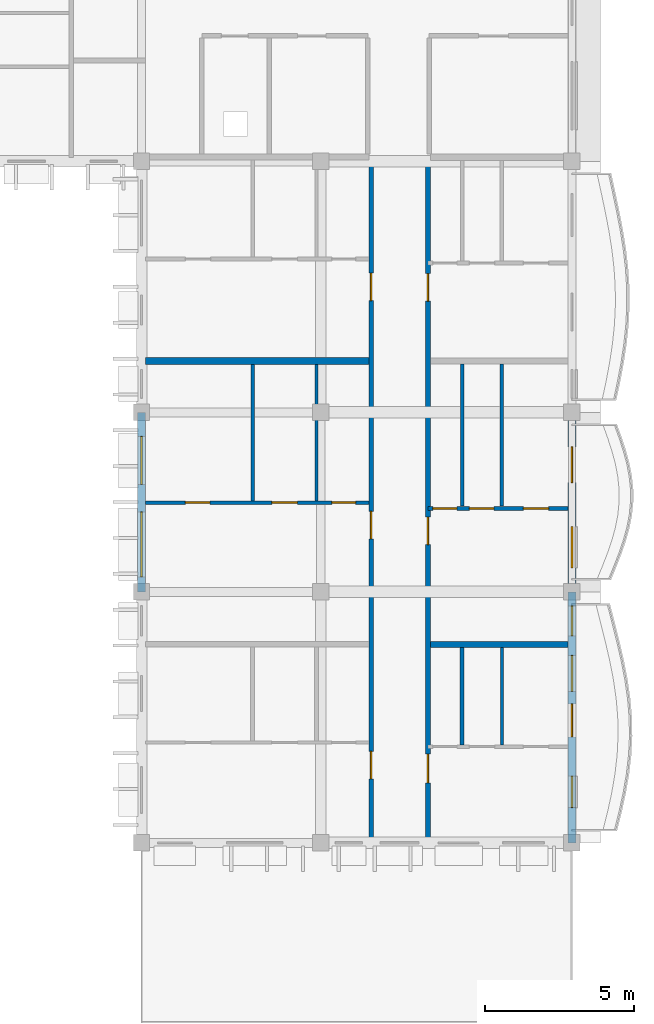
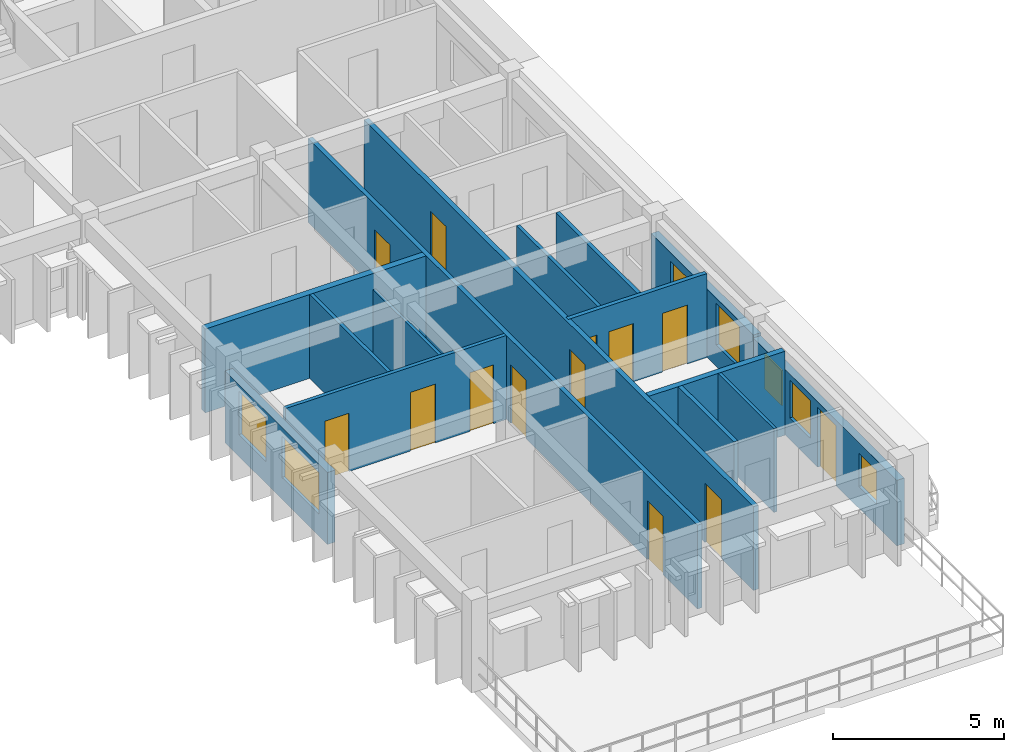
# One storey, part 24 of 45: 15 walls, 14 doors, 6 windows, 20 openings.
"""IFC4 building model written with IfcOpenShell, lengths in metres."""

from ifc_helpers import new_model, si_unit, direction, frame, frame_2d, origin, place, context, subcontext, project, spatial, rectangle, extrude, material, layer, layer_set, type_object, element, fill, save


model = new_model("IFC4")

# Units and contexts
model_context = context("Model", 3, precision=1e-05, world=origin(), true_north=direction((0.0, 1.0)))
body_context = subcontext(model_context, "Body", "Model", "MODEL_VIEW")
ifc_project = project(units=[si_unit("LENGTHUNIT", "METRE"), si_unit("AREAUNIT", "SQUARE_METRE"), si_unit("VOLUMEUNIT", "CUBIC_METRE"), si_unit("PLANEANGLEUNIT", "RADIAN"), si_unit("MASSUNIT", "GRAM", prefix="KILO"), si_unit("THERMODYNAMICTEMPERATUREUNIT", "KELVIN")], contexts=[model_context])

# Site, building, storey
site_placement = place(None, origin())
site = spatial("IfcSite", under=ifc_project, at=site_placement, CompositionType="ELEMENT")
building_placement = place(site_placement, origin())
building = spatial("IfcBuilding", under=site, at=building_placement, Name="Thalorik Housing Commons", CompositionType="ELEMENT")
storey_placement = place(building_placement, frame((0.0, 0.0, 34.5)))
storey = spatial("IfcBuildingStorey", under=building, at=storey_placement, Name="L10", CompositionType="ELEMENT", Elevation=34.5)

# Wall, openings, doors
ifc_material_1 = material(Name="Masonry fire-rated corridor wall", Category="masonry")
ifc_layer_1 = layer(ifc_material_1, 0.14990234375, Name="Masonry fire-rated corridor wall", Category="masonry")
ifc_layer_set_1 = layer_set([ifc_layer_1], Name="Masonry fire-rated corridor wall")
wall_type_1 = type_object("IfcWallType", Name="ARC-WAL-CORR-150", PredefinedType="PARTITIONING", material=ifc_layer_set_1)
wall_1_placement = place(storey_placement, frame((160.080078125, 86.529541015625, 0.0), z_axis=(0.0, 0.0, 1.0), x_axis=(0.0, 1.0, 0.0)))
wall_1 = element("IfcWall", 1, at=wall_1_placement, inside=storey, type_object=wall_type_1, Name="L10 Block B E Corridor Wall 1", PredefinedType="PARTITIONING", context=body_context, shape_type="SweptSolid", body=[
    extrude(rectangle(XDim=22.810546875, YDim=0.14990234375, at=frame_2d((11.4052734375, 0.0))), origin(), (0.0, 0.0, 1.0), 3.0),
])
opening_1_placement = place(wall_1_placement, frame((2.010498046875, 0.0, 0.0)))
opening_1 = element("IfcOpeningElement", 2, at=opening_1_placement, cuts=wall_1, Name="Opening ID-1472", PredefinedType="OPENING", context=body_context, shape_type="SweptSolid", body=[
    extrude(rectangle(XDim=0.919921875, YDim=2.10009765625, at=frame_2d((0.4599609375, 1.050048828125))), frame((0.0, 0.0849609375, 0.0), z_axis=(0.0, -1.0, 0.0), x_axis=(1.0, 0.0, 0.0)), (0.0, 0.0, 1.0), 0.169921875),
])
opening_2_placement = place(wall_1_placement, frame((10.04052734375, 0.0, 0.0)))
opening_2 = element("IfcOpeningElement", 3, at=opening_2_placement, cuts=wall_1, Name="Opening ID-1473", PredefinedType="OPENING", context=body_context, shape_type="SweptSolid", body=[
    extrude(rectangle(XDim=0.919921875, YDim=2.10009765625, at=frame_2d((0.4599609375, 1.050048828125))), frame((0.0, 0.0849609375, 0.0), z_axis=(0.0, -1.0, 0.0), x_axis=(1.0, 0.0, 0.0)), (0.0, 0.0, 1.0), 0.169921875),
])
opening_3_placement = place(wall_1_placement, frame((18.0078125, 0.0, 0.0)))
opening_3 = element("IfcOpeningElement", 4, at=opening_3_placement, cuts=wall_1, Name="Opening ID-1474", PredefinedType="OPENING", context=body_context, shape_type="SweptSolid", body=[
    extrude(rectangle(XDim=0.919921875, YDim=2.10009765625, at=frame_2d((0.4599609375, 1.050048828125))), frame((0.0, 0.0849609375, 0.0), z_axis=(0.0, -1.0, 0.0), x_axis=(1.0, 0.0, 0.0)), (0.0, 0.0, 1.0), 0.169921875),
])
ifc_material_2 = material(Name="Solid core hardwood timber", Category="wood")
door_type_1 = type_object("IfcDoorType", Name="ARC-DR-FD30-920", OperationType="NOTDEFINED", PredefinedType="DOOR", material=ifc_material_2)
door_1_placement = place(opening_1_placement, origin())
door_1 = element("IfcDoor", 5, at=door_1_placement, inside=storey, type_object=door_type_1, Name="L10 Flat BE-1A Entrance Door", OperationType="SINGLE_SWING_LEFT", OverallHeight=2.10009765625, OverallWidth=0.919921875, PredefinedType="DOOR", context=body_context, shape_type="SweptSolid", body=[
    extrude(rectangle(XDim=0.919921875, YDim=2.10009765625, at=frame_2d((0.4599609375, 1.050048828125))), frame((0.0, 0.02490234375, 0.0), z_axis=(0.0, -1.0, 0.0), x_axis=(1.0, 0.0, 0.0)), (0.0, 0.0, 1.0), 0.050048828125),
])
fill(opening_1, door_1)
door_2_placement = place(opening_2_placement, origin())
door_2 = element("IfcDoor", 6, at=door_2_placement, inside=storey, type_object=door_type_1, Name="L10 Flat BE-2A Entrance Door", OperationType="SINGLE_SWING_RIGHT", OverallHeight=2.10009765625, OverallWidth=0.919921875, PredefinedType="DOOR", context=body_context, shape_type="SweptSolid", body=[
    extrude(rectangle(XDim=0.919921875, YDim=2.10009765625, at=frame_2d((0.4599609375, 1.050048828125))), frame((0.0, 0.02490234375, 0.0), z_axis=(0.0, -1.0, 0.0), x_axis=(1.0, 0.0, 0.0)), (0.0, 0.0, 1.0), 0.050048828125),
])
fill(opening_2, door_2)
door_3_placement = place(opening_3_placement, origin())
door_3 = element("IfcDoor", 7, at=door_3_placement, inside=storey, type_object=door_type_1, Name="L10 Flat BE-3A Entrance Door", OperationType="SINGLE_SWING_LEFT", OverallHeight=2.10009765625, OverallWidth=0.919921875, PredefinedType="DOOR", context=body_context, shape_type="SweptSolid", body=[
    extrude(rectangle(XDim=0.919921875, YDim=2.10009765625, at=frame_2d((0.4599609375, 1.050048828125))), frame((0.0, 0.02490234375, 0.0), z_axis=(0.0, -1.0, 0.0), x_axis=(1.0, 0.0, 0.0)), (0.0, 0.0, 1.0), 0.050048828125),
])
fill(opening_3, door_3)

ifc_layer_2 = layer(ifc_material_1, 0.1650390625, Name="Masonry fire-rated corridor wall", Category="masonry")
ifc_layer_set_2 = layer_set([ifc_layer_2], Name="Masonry fire-rated corridor wall")
wall_type_2 = type_object("IfcWallType", Name="ARC-WAL-CORR-165", PredefinedType="PARTITIONING", material=ifc_layer_set_2)
wall_2_placement = place(storey_placement, frame((161.97998046875, 86.529541015625, 0.0), z_axis=(0.0, 0.0, 1.0), x_axis=(0.0, 1.0, 0.0)))
wall_2 = element("IfcWall", 8, at=wall_2_placement, inside=storey, type_object=wall_type_2, Name="L10 Block B E Corridor Wall 2", PredefinedType="PARTITIONING", context=body_context, shape_type="SweptSolid", body=[
    extrude(rectangle(XDim=22.810546875, YDim=0.1650390625, at=frame_2d((11.4052734375, 0.0))), origin(), (0.0, 0.0, 1.0), 3.0),
])
opening_4_placement = place(wall_2_placement, frame((1.87890625, 0.0, 0.0)))
opening_4 = element("IfcOpeningElement", 9, at=opening_4_placement, cuts=wall_2, Name="Opening ID-1475", PredefinedType="OPENING", context=body_context, shape_type="SweptSolid", body=[
    extrude(rectangle(XDim=0.9599609375, YDim=2.1201171875, at=frame_2d((0.47998046875, 1.06005859375))), frame((0.0, 0.092529296875, 0.0), z_axis=(0.0, -1.0, 0.0), x_axis=(1.0, 0.0, 0.0)), (0.0, 0.0, 1.0), 0.18505859375),
])
opening_5_placement = place(wall_2_placement, frame((9.850830078125, 0.0, 0.0)))
opening_5 = element("IfcOpeningElement", 10, at=opening_5_placement, cuts=wall_2, Name="Opening ID-1476", PredefinedType="OPENING", context=body_context, shape_type="SweptSolid", body=[
    extrude(rectangle(XDim=0.919921875, YDim=2.10009765625, at=frame_2d((0.4599609375, 1.050048828125))), frame((0.0, 0.092529296875, 0.0), z_axis=(0.0, -1.0, 0.0), x_axis=(1.0, 0.0, 0.0)), (0.0, 0.0, 1.0), 0.18505859375),
])
opening_6_placement = place(wall_2_placement, frame((17.997314453125, 0.0, 0.0)))
opening_6 = element("IfcOpeningElement", 11, at=opening_6_placement, cuts=wall_2, Name="Opening ID-1477", PredefinedType="OPENING", context=body_context, shape_type="SweptSolid", body=[
    extrude(rectangle(XDim=0.919921875, YDim=2.10009765625, at=frame_2d((0.4599609375, 1.050048828125))), frame((0.0, 0.092529296875, 0.0), z_axis=(0.0, -1.0, 0.0), x_axis=(1.0, 0.0, 0.0)), (0.0, 0.0, 1.0), 0.18505859375),
])
door_4_placement = place(opening_5_placement, origin())
door_4 = element("IfcDoor", 12, at=door_4_placement, inside=storey, type_object=door_type_1, Name="L10 Flat BE-2B Entrance Door", OperationType="SINGLE_SWING_LEFT", OverallHeight=2.10009765625, OverallWidth=0.919921875, PredefinedType="DOOR", context=body_context, shape_type="SweptSolid", body=[
    extrude(rectangle(XDim=0.919921875, YDim=2.10009765625, at=frame_2d((0.4599609375, 1.050048828125))), frame((0.0, 0.02490234375, 0.0), z_axis=(0.0, -1.0, 0.0), x_axis=(1.0, 0.0, 0.0)), (0.0, 0.0, 1.0), 0.050048828125),
])
fill(opening_5, door_4)
door_5_placement = place(opening_6_placement, origin())
door_5 = element("IfcDoor", 13, at=door_5_placement, inside=storey, type_object=door_type_1, Name="L10 Flat BE-3B Entrance Door", OperationType="SINGLE_SWING_RIGHT", OverallHeight=2.10009765625, OverallWidth=0.919921875, PredefinedType="DOOR", context=body_context, shape_type="SweptSolid", body=[
    extrude(rectangle(XDim=0.919921875, YDim=2.10009765625, at=frame_2d((0.4599609375, 1.050048828125))), frame((0.0, 0.02490234375, 0.0), z_axis=(0.0, -1.0, 0.0), x_axis=(1.0, 0.0, 0.0)), (0.0, 0.0, 1.0), 0.050048828125),
])
fill(opening_6, door_5)
door_type_2 = type_object("IfcDoorType", Name="ARC-DR-FD30-960", OperationType="NOTDEFINED", PredefinedType="DOOR", material=ifc_material_2)
door_6_placement = place(opening_4_placement, origin())
door_6 = element("IfcDoor", 14, at=door_6_placement, inside=storey, type_object=door_type_2, Name="L10 Flat BE-1B Entrance Door", OperationType="SINGLE_SWING_RIGHT", OverallHeight=2.1201171875, OverallWidth=0.9599609375, PredefinedType="DOOR", context=body_context, shape_type="SweptSolid", body=[
    extrude(rectangle(XDim=0.9599609375, YDim=2.1201171875, at=frame_2d((0.47998046875, 1.06005859375))), frame((0.0, 0.02490234375, 0.0), z_axis=(0.0, -1.0, 0.0), x_axis=(1.0, 0.0, 0.0)), (0.0, 0.0, 1.0), 0.050048828125),
])
fill(opening_4, door_6)

# Wall, openings, windows
ifc_material_3 = material(Name="White precast concrete C40/50", Category="concrete")
ifc_layer_3 = layer(ifc_material_3, 0.2548828125, Name="White precast concrete C40/50", Category="concrete")
ifc_layer_set_3 = layer_set([ifc_layer_3], Name="White precast concrete C40/50")
wall_type_3 = type_object("IfcWallType", Name="ARC-WAL-EXT-255", PredefinedType="STANDARD", material=ifc_layer_set_3)
wall_3_placement = place(storey_placement, frame((152.39990234375, 100.800048828125, 0.0), z_axis=(0.0, 0.0, 1.0), x_axis=(0.0, -1.0, 0.0)))
wall_3 = element("IfcWall", 15, at=wall_3_placement, inside=storey, type_object=wall_type_3, Name="L10 Exterior Wall WAL-EXT-L10-B-0762", PredefinedType="STANDARD", context=body_context, shape_type="SweptSolid", body=[
    extrude(rectangle(XDim=6.0, YDim=0.2548828125, at=frame_2d((3.0, 0.0))), origin(), (0.0, 0.0, 1.0), 2.574951171875),
])
opening_7_placement = place(wall_3_placement, frame((0.804931640625, 0.0, 0.780029296875)))
opening_7 = element("IfcOpeningElement", 16, at=opening_7_placement, cuts=wall_3, Name="Opening W-13", PredefinedType="OPENING", context=body_context, shape_type="SweptSolid", body=[
    extrude(rectangle(XDim=1.60009765625, YDim=1.550048828125, at=frame_2d((0.800048828125, 0.77490234375))), frame((0.0, 0.137451171875, 0.0), z_axis=(0.0, -1.0, 0.0), x_axis=(1.0, 0.0, 0.0)), (0.0, 0.0, 1.0), 0.27490234375),
])
opening_8_placement = place(wall_3_placement, frame((3.324951171875, 0.0, 0.780029296875)))
opening_8 = element("IfcOpeningElement", 17, at=opening_8_placement, cuts=wall_3, Name="Opening W-65", PredefinedType="OPENING", context=body_context, shape_type="SweptSolid", body=[
    extrude(rectangle(XDim=2.179931640625, YDim=1.47998046875, at=frame_2d((1.08984375, 0.739990234375))), frame((0.0, 0.137451171875, 0.0), z_axis=(0.0, -1.0, 0.0), x_axis=(1.0, 0.0, 0.0)), (0.0, 0.0, 1.0), 0.27490234375),
])
ifc_material_4 = material(Name="Anodised aluminium and solar-control low-E glass", Category="aluminium")
window_type_1 = type_object("IfcWindowType", Name="ARC-WIN-13", PartitioningType="DOUBLE_PANEL_VERTICAL", PredefinedType="WINDOW", material=ifc_material_4)
window_1_placement = place(opening_7_placement, origin())
window_1 = element("IfcWindow", 18, at=window_1_placement, inside=storey, type_object=window_type_1, Name="L10 Facade Window 1404", OverallHeight=1.550048828125, OverallWidth=1.60009765625, PartitioningType="DOUBLE_PANEL_VERTICAL", PredefinedType="WINDOW", context=body_context, shape_type="SweptSolid", body=[
    extrude(rectangle(XDim=1.60009765625, YDim=1.550048828125, at=frame_2d((0.800048828125, 0.77490234375))), frame((0.0, 0.030029296875, 0.0), z_axis=(0.0, -1.0, 0.0), x_axis=(1.0, 0.0, 0.0)), (0.0, 0.0, 1.0), 0.06005859375),
])
fill(opening_7, window_1)
window_type_2 = type_object("IfcWindowType", Name="ARC-WIN-65", PartitioningType="DOUBLE_PANEL_VERTICAL", PredefinedType="WINDOW", material=ifc_material_4)
window_2_placement = place(opening_8_placement, origin())
window_2 = element("IfcWindow", 19, at=window_2_placement, inside=storey, type_object=window_type_2, Name="L10 Facade Window 1405", OverallHeight=1.47998046875, OverallWidth=2.179931640625, PartitioningType="DOUBLE_PANEL_VERTICAL", PredefinedType="WINDOW", context=body_context, shape_type="SweptSolid", body=[
    extrude(rectangle(XDim=2.179931640625, YDim=1.47998046875, at=frame_2d((1.08984375, 0.739990234375))), frame((0.0, 0.030029296875, 0.0), z_axis=(0.0, -1.0, 0.0), x_axis=(1.0, 0.0, 0.0)), (0.0, 0.0, 1.0), 0.06005859375),
])
fill(opening_8, window_2)

# Wall, openings, door, windows
wall_4_placement = place(storey_placement, frame((166.800048828125, 86.39990234375, 0.0), z_axis=(0.0, 0.0, 1.0), x_axis=(0.0, 1.0, 0.0)))
wall_4 = element("IfcWall", 20, at=wall_4_placement, inside=storey, type_object=wall_type_3, Name="L10 Exterior Wall WAL-EXT-L10-B-0766", PredefinedType="STANDARD", context=body_context, shape_type="SweptSolid", body=[
    extrude(rectangle(XDim=8.400146484375, YDim=0.2548828125, at=frame_2d((4.2001953125, 0.0))), origin(), (0.0, 0.0, 1.0), 2.344970703125),
])
opening_9_placement = place(wall_4_placement, frame((3.54833984375, 0.0, 0.0)))
opening_9 = element("IfcOpeningElement", 21, at=opening_9_placement, cuts=wall_4, Name="Opening ED-0260", PredefinedType="OPENING", context=body_context, shape_type="SweptSolid", body=[
    extrude(rectangle(XDim=1.10009765625, YDim=2.14990234375, at=frame_2d((0.550048828125, 1.074951171875))), frame((0.0, 0.137451171875, 0.0), z_axis=(0.0, -1.0, 0.0), x_axis=(1.0, 0.0, 0.0)), (0.0, 0.0, 1.0), 0.27490234375),
])
opening_10_placement = place(wall_4_placement, frame((1.17919921875, 0.0, 0.780029296875)))
opening_10 = element("IfcOpeningElement", 22, at=opening_10_placement, cuts=wall_4, Name="Opening W-44", PredefinedType="OPENING", context=body_context, shape_type="SweptSolid", body=[
    extrude(rectangle(XDim=1.050048828125, YDim=1.199951171875, at=frame_2d((0.52490234375, 0.60009765625))), frame((0.0, 0.137451171875, 0.0), z_axis=(0.0, -1.0, 0.0), x_axis=(1.0, 0.0, 0.0)), (0.0, 0.0, 1.0), 0.27490234375),
])
opening_11_placement = place(wall_4_placement, frame((5.069091796875, 0.0, 0.780029296875)))
opening_11 = element("IfcOpeningElement", 23, at=opening_11_placement, cuts=wall_4, Name="Opening W-04", PredefinedType="OPENING", context=body_context, shape_type="SweptSolid", body=[
    extrude(rectangle(XDim=1.199951171875, YDim=1.35009765625, at=frame_2d((0.60009765625, 0.675048828125))), frame((0.0, 0.137451171875, 0.0), z_axis=(0.0, -1.0, 0.0), x_axis=(1.0, 0.0, 0.0)), (0.0, 0.0, 1.0), 0.27490234375),
])
opening_12_placement = place(wall_4_placement, frame((6.925048828125, 0.0, 0.780029296875)))
opening_12 = element("IfcOpeningElement", 24, at=opening_12_placement, cuts=wall_4, Name="Opening W-02", PredefinedType="OPENING", context=body_context, shape_type="SweptSolid", body=[
    extrude(rectangle(XDim=1.0, YDim=1.25, at=frame_2d((0.5, 0.625))), frame((0.0, 0.137451171875, 0.0), z_axis=(0.0, -1.0, 0.0), x_axis=(1.0, 0.0, 0.0)), (0.0, 0.0, 1.0), 0.27490234375),
])
ifc_material_5 = material(Name="Anodised aluminium and laminated safety glass", Category="aluminium")
door_type_3 = type_object("IfcDoorType", Name="ARC-DR-BAL-1100", OperationType="NOTDEFINED", PredefinedType="DOOR", material=ifc_material_5)
door_7_placement = place(opening_9_placement, frame((1.10009765625, 0.0, 0.0), z_axis=(0.0, 0.0, 1.0), x_axis=(-1.0, 0.0, 0.0)))
door_7 = element("IfcDoor", 25, at=door_7_placement, inside=storey, type_object=door_type_3, Name="L10 Block B Balcony Glazed Door", OperationType="SINGLE_SWING_LEFT", OverallHeight=2.14990234375, OverallWidth=1.10009765625, PredefinedType="DOOR", context=body_context, shape_type="SweptSolid", body=[
    extrude(rectangle(XDim=1.10009765625, YDim=2.14990234375, at=frame_2d((0.550048828125, 1.074951171875))), frame((0.0, 0.02490234375, 0.0), z_axis=(0.0, -1.0, 0.0), x_axis=(1.0, 0.0, 0.0)), (0.0, 0.0, 1.0), 0.050048828125),
])
fill(opening_9, door_7)
window_type_3 = type_object("IfcWindowType", Name="ARC-WIN-02", PartitioningType="SINGLE_PANEL", PredefinedType="WINDOW", material=ifc_material_4)
window_3_placement = place(opening_12_placement, origin())
window_3 = element("IfcWindow", 26, at=window_3_placement, inside=storey, type_object=window_type_3, Name="L10 Facade Window 1415", OverallHeight=1.25, OverallWidth=1.0, PartitioningType="SINGLE_PANEL", PredefinedType="WINDOW", context=body_context, shape_type="SweptSolid", body=[
    extrude(rectangle(XDim=1.0, YDim=1.25, at=frame_2d((0.5, 0.625))), frame((0.0, 0.030029296875, 0.0), z_axis=(0.0, -1.0, 0.0), x_axis=(1.0, 0.0, 0.0)), (0.0, 0.0, 1.0), 0.06005859375),
])
fill(opening_12, window_3)
window_type_4 = type_object("IfcWindowType", Name="ARC-WIN-04", PartitioningType="SINGLE_PANEL", PredefinedType="WINDOW", material=ifc_material_4)
window_4_placement = place(opening_11_placement, origin())
window_4 = element("IfcWindow", 27, at=window_4_placement, inside=storey, type_object=window_type_4, Name="L10 Facade Window 1414", OverallHeight=1.35009765625, OverallWidth=1.199951171875, PartitioningType="SINGLE_PANEL", PredefinedType="WINDOW", context=body_context, shape_type="SweptSolid", body=[
    extrude(rectangle(XDim=1.199951171875, YDim=1.35009765625, at=frame_2d((0.60009765625, 0.675048828125))), frame((0.0, 0.030029296875, 0.0), z_axis=(0.0, -1.0, 0.0), x_axis=(1.0, 0.0, 0.0)), (0.0, 0.0, 1.0), 0.06005859375),
])
fill(opening_11, window_4)
window_type_5 = type_object("IfcWindowType", Name="ARC-WIN-44", PartitioningType="SINGLE_PANEL", PredefinedType="WINDOW", material=ifc_material_4)
window_5_placement = place(opening_10_placement, origin())
window_5 = element("IfcWindow", 28, at=window_5_placement, inside=storey, type_object=window_type_5, Name="L10 Facade Window 1413", OverallHeight=1.199951171875, OverallWidth=1.050048828125, PartitioningType="SINGLE_PANEL", PredefinedType="WINDOW", context=body_context, shape_type="SweptSolid", body=[
    extrude(rectangle(XDim=1.050048828125, YDim=1.199951171875, at=frame_2d((0.52490234375, 0.60009765625))), frame((0.0, 0.030029296875, 0.0), z_axis=(0.0, -1.0, 0.0), x_axis=(1.0, 0.0, 0.0)), (0.0, 0.0, 1.0), 0.06005859375),
])
fill(opening_10, window_5)

# Wall, openings, door, window
wall_5_placement = place(storey_placement, frame((166.800048828125, 94.800048828125, 0.0), z_axis=(0.0, 0.0, 1.0), x_axis=(0.0, 1.0, 0.0)))
wall_5 = element("IfcWall", 29, at=wall_5_placement, inside=storey, type_object=wall_type_3, Name="L10 Exterior Wall WAL-EXT-L10-B-0767", PredefinedType="STANDARD", context=body_context, shape_type="SweptSolid", body=[
    extrude(rectangle(XDim=6.0, YDim=0.2548828125, at=frame_2d((3.0, 0.0))), origin(), (0.0, 0.0, 1.0), 2.445068359375),
])
opening_13_placement = place(wall_5_placement, frame((3.650146484375, 0.0, 0.0)))
opening_13 = element("IfcOpeningElement", 30, at=opening_13_placement, cuts=wall_5, Name="Opening ED-0261", PredefinedType="OPENING", context=body_context, shape_type="SweptSolid", body=[
    extrude(rectangle(XDim=1.199951171875, YDim=2.14990234375, at=frame_2d((0.60009765625, 1.074951171875))), frame((0.0, 0.137451171875, 0.0), z_axis=(0.0, -1.0, 0.0), x_axis=(1.0, 0.0, 0.0)), (0.0, 0.0, 1.0), 0.27490234375),
])
opening_14_placement = place(wall_5_placement, frame((0.80029296875, 0.0, 0.780029296875)))
opening_14 = element("IfcOpeningElement", 31, at=opening_14_placement, cuts=wall_5, Name="Opening W-49", PredefinedType="OPENING", context=body_context, shape_type="SweptSolid", body=[
    extrude(rectangle(XDim=1.3798828125, YDim=1.47998046875, at=frame_2d((0.68994140625, 0.739990234375))), frame((0.0, 0.137451171875, 0.0), z_axis=(0.0, -1.0, 0.0), x_axis=(1.0, 0.0, 0.0)), (0.0, 0.0, 1.0), 0.27490234375),
])
door_type_4 = type_object("IfcDoorType", Name="ARC-DR-BAL-1200", OperationType="NOTDEFINED", PredefinedType="DOOR", material=ifc_material_5)
door_8_placement = place(opening_13_placement, frame((1.199951171875, 0.0, 0.0), z_axis=(0.0, 0.0, 1.0), x_axis=(-1.0, 0.0, 0.0)))
door_8 = element("IfcDoor", 32, at=door_8_placement, inside=storey, type_object=door_type_4, Name="L10 Block B Balcony Glazed Door", OperationType="SINGLE_SWING_RIGHT", OverallHeight=2.14990234375, OverallWidth=1.199951171875, PredefinedType="DOOR", context=body_context, shape_type="SweptSolid", body=[
    extrude(rectangle(XDim=1.199951171875, YDim=2.14990234375, at=frame_2d((0.60009765625, 1.074951171875))), frame((0.0, 0.02490234375, 0.0), z_axis=(0.0, -1.0, 0.0), x_axis=(1.0, 0.0, 0.0)), (0.0, 0.0, 1.0), 0.050048828125),
])
fill(opening_13, door_8)
window_type_6 = type_object("IfcWindowType", Name="ARC-WIN-49", PartitioningType="SINGLE_PANEL", PredefinedType="WINDOW", material=ifc_material_4)
window_6_placement = place(opening_14_placement, origin())
window_6 = element("IfcWindow", 33, at=window_6_placement, inside=storey, type_object=window_type_6, Name="L10 Facade Window 1416", OverallHeight=1.47998046875, OverallWidth=1.3798828125, PartitioningType="SINGLE_PANEL", PredefinedType="WINDOW", context=body_context, shape_type="SweptSolid", body=[
    extrude(rectangle(XDim=1.3798828125, YDim=1.47998046875, at=frame_2d((0.68994140625, 0.739990234375))), frame((0.0, 0.030029296875, 0.0), z_axis=(0.0, -1.0, 0.0), x_axis=(1.0, 0.0, 0.0)), (0.0, 0.0, 1.0), 0.06005859375),
])
fill(opening_14, window_6)

# Walls
ifc_material_6 = material(Name="Gypsum light stud partition", Category="masonry")
ifc_layer_4 = layer(ifc_material_6, 0.10009765625, Name="Gypsum light stud partition", Category="masonry")
ifc_layer_set_4 = layer_set([ifc_layer_4], Name="Gypsum light stud partition")
wall_type_4 = type_object("IfcWallType", Name="ARC-WAL-PART-100", PredefinedType="PARTITIONING", material=ifc_layer_set_4)
wall_6_placement = place(storey_placement, frame((164.455078125, 89.677978515625, 0.0), z_axis=(0.0, 0.0, 1.0), x_axis=(0.0, 1.0, 0.0)))
element("IfcWall", 34, at=wall_6_placement, inside=storey, type_object=wall_type_4, Name="L10 Unit 1B Bedroom Partition", PredefinedType="PARTITIONING", context=body_context, shape_type="SweptSolid", body=[
    extrude(rectangle(XDim=3.260009765625, YDim=0.10009765625, at=frame_2d((1.6298828125, 0.0))), origin(), (0.0, 0.0, 1.0), 3.0),
])
wall_7_placement = place(storey_placement, frame((158.251220703125, 97.844482421875, 0.0), z_axis=(0.0, 0.0, 1.0), x_axis=(0.0, 1.0, 0.0)))
element("IfcWall", 35, at=wall_7_placement, inside=storey, type_object=wall_type_4, Name="L10 Unit 2 Wet Wall", PredefinedType="PARTITIONING", context=body_context, shape_type="SweptSolid", body=[
    extrude(rectangle(XDim=4.5634765625, YDim=0.10009765625, at=frame_2d((2.28173828125, 0.0))), origin(), (0.0, 0.0, 1.0), 2.425048828125),
])
ifc_material_7 = material(Name="Gypsum moisture-resistant partition", Category="masonry")
ifc_layer_5 = layer(ifc_material_7, 0.114990234375, Name="Gypsum moisture-resistant partition", Category="masonry")
ifc_layer_set_5 = layer_set([ifc_layer_5], Name="Gypsum moisture-resistant partition")
wall_type_5 = type_object("IfcWallType", Name="ARC-WAL-PART-115", PredefinedType="PARTITIONING", material=ifc_layer_set_5)
wall_8_placement = place(storey_placement, frame((156.11767578125, 97.844482421875, 0.0), z_axis=(0.0, 0.0, 1.0), x_axis=(0.0, 1.0, 0.0)))
element("IfcWall", 36, at=wall_8_placement, inside=storey, type_object=wall_type_5, Name="L10 Unit 2 Bedroom Partition", PredefinedType="PARTITIONING", context=body_context, shape_type="SweptSolid", body=[
    extrude(rectangle(XDim=4.5634765625, YDim=0.114990234375, at=frame_2d((2.28173828125, 0.0))), origin(), (0.0, 0.0, 1.0), 3.0),
])
wall_9_placement = place(storey_placement, frame((163.122314453125, 97.662353515625, 0.0), z_axis=(0.0, 0.0, 1.0), x_axis=(0.0, 1.0, 0.0)))
element("IfcWall", 37, at=wall_9_placement, inside=storey, type_object=wall_type_5, Name="L10 Unit 2B Wet Wall", PredefinedType="PARTITIONING", context=body_context, shape_type="SweptSolid", body=[
    extrude(rectangle(XDim=4.76318359375, YDim=0.114990234375, at=frame_2d((2.381591796875, 0.0))), origin(), (0.0, 0.0, 1.0), 3.0),
])

# Wall, openings, doors
ifc_material_8 = material(Name="Gypsum acoustic stud partition", Category="masonry")
ifc_layer_6 = layer(ifc_material_8, 0.125, Name="Gypsum acoustic stud partition", Category="masonry")
ifc_layer_set_6 = layer_set([ifc_layer_6], Name="Gypsum acoustic stud partition")
wall_type_6 = type_object("IfcWallType", Name="ARC-WAL-PART-125", PredefinedType="PARTITIONING", material=ifc_layer_set_6)
wall_10_placement = place(storey_placement, frame((152.529541015625, 97.780029296875, 0.0), z_axis=(0.0, 0.0, 1.0), x_axis=(1.0, 0.0, 0.0)))
wall_10 = element("IfcWall", 38, at=wall_10_placement, inside=storey, type_object=wall_type_6, Name="L10 Unit 2 Spine Partition", PredefinedType="PARTITIONING", context=body_context, shape_type="SweptSolid", body=[
    extrude(rectangle(XDim=7.473388671875, YDim=0.125, at=frame_2d((3.73681640625, 0.0))), origin(), (0.0, 0.0, 1.0), 3.0),
])
opening_15_placement = place(wall_10_placement, frame((1.334228515625, 0.0, 0.0)))
opening_15 = element("IfcOpeningElement", 39, at=opening_15_placement, cuts=wall_10, Name="Opening ID-1460", PredefinedType="OPENING", context=body_context, shape_type="SweptSolid", body=[
    extrude(rectangle(XDim=0.820068359375, YDim=2.080078125, at=frame_2d((0.41015625, 1.0400390625))), frame((0.0, 0.072509765625, 0.0), z_axis=(0.0, -1.0, 0.0), x_axis=(1.0, 0.0, 0.0)), (0.0, 0.0, 1.0), 0.14501953125),
])
opening_16_placement = place(wall_10_placement, frame((4.22998046875, 0.0, 0.0)))
opening_16 = element("IfcOpeningElement", 40, at=opening_16_placement, cuts=wall_10, Name="Opening ID-1461", PredefinedType="OPENING", context=body_context, shape_type="SweptSolid", body=[
    extrude(rectangle(XDim=0.85009765625, YDim=2.10009765625, at=frame_2d((0.425048828125, 1.050048828125))), frame((0.0, 0.072509765625, 0.0), z_axis=(0.0, -1.0, 0.0), x_axis=(1.0, 0.0, 0.0)), (0.0, 0.0, 1.0), 0.14501953125),
])
opening_17_placement = place(wall_10_placement, frame((6.236083984375, 0.0, 0.0)))
opening_17 = element("IfcOpeningElement", 41, at=opening_17_placement, cuts=wall_10, Name="Opening ID-1462", PredefinedType="OPENING", context=body_context, shape_type="SweptSolid", body=[
    extrude(rectangle(XDim=0.800048828125, YDim=2.10009765625, at=frame_2d((0.39990234375, 1.050048828125))), frame((0.0, 0.072509765625, 0.0), z_axis=(0.0, -1.0, 0.0), x_axis=(1.0, 0.0, 0.0)), (0.0, 0.0, 1.0), 0.14501953125),
])
ifc_material_9 = material(Name="Moisture-resistant timber", Category="wood")
door_type_5 = type_object("IfcDoorType", Name="ARC-DR-INT-800", OperationType="NOTDEFINED", PredefinedType="DOOR", material=ifc_material_9)
door_9_placement = place(opening_17_placement, origin())
door_9 = element("IfcDoor", 42, at=door_9_placement, inside=storey, type_object=door_type_5, Name="L10 Accessible Bathroom Door", OperationType="SINGLE_SWING_LEFT", OverallHeight=2.10009765625, OverallWidth=0.800048828125, PredefinedType="DOOR", context=body_context, shape_type="SweptSolid", body=[
    extrude(rectangle(XDim=0.800048828125, YDim=2.10009765625, at=frame_2d((0.39990234375, 1.050048828125))), frame((0.0, 0.02490234375, 0.0), z_axis=(0.0, -1.0, 0.0), x_axis=(1.0, 0.0, 0.0)), (0.0, 0.0, 1.0), 0.050048828125),
])
fill(opening_17, door_9)
ifc_material_10 = material(Name="Engineered oak timber", Category="wood")
door_type_6 = type_object("IfcDoorType", Name="ARC-DR-INT-820", OperationType="NOTDEFINED", PredefinedType="DOOR", material=ifc_material_10)
door_10_placement = place(opening_15_placement, origin())
door_10 = element("IfcDoor", 43, at=door_10_placement, inside=storey, type_object=door_type_6, Name="L10 Master Bedroom Door", OperationType="SINGLE_SWING_LEFT", OverallHeight=2.080078125, OverallWidth=0.820068359375, PredefinedType="DOOR", context=body_context, shape_type="SweptSolid", body=[
    extrude(rectangle(XDim=0.820068359375, YDim=2.080078125, at=frame_2d((0.41015625, 1.0400390625))), frame((0.0, 0.02490234375, 0.0), z_axis=(0.0, -1.0, 0.0), x_axis=(1.0, 0.0, 0.0)), (0.0, 0.0, 1.0), 0.050048828125),
])
fill(opening_15, door_10)
door_type_7 = type_object("IfcDoorType", Name="ARC-DR-INT-850", OperationType="NOTDEFINED", PredefinedType="DOOR", material=ifc_material_10)
door_11_placement = place(opening_16_placement, origin())
door_11 = element("IfcDoor", 44, at=door_11_placement, inside=storey, type_object=door_type_7, Name="L10 Eat-In Kitchen Door", OperationType="SINGLE_SWING_RIGHT", OverallHeight=2.10009765625, OverallWidth=0.85009765625, PredefinedType="DOOR", context=body_context, shape_type="SweptSolid", body=[
    extrude(rectangle(XDim=0.85009765625, YDim=2.10009765625, at=frame_2d((0.425048828125, 1.050048828125))), frame((0.0, 0.02490234375, 0.0), z_axis=(0.0, -1.0, 0.0), x_axis=(1.0, 0.0, 0.0)), (0.0, 0.0, 1.0), 0.050048828125),
])
fill(opening_16, door_11)

# Walls
wall_11_placement = place(storey_placement, frame((164.455078125, 97.662353515625, 0.0), z_axis=(0.0, 0.0, 1.0), x_axis=(0.0, 1.0, 0.0)))
element("IfcWall", 45, at=wall_11_placement, inside=storey, type_object=wall_type_6, Name="L10 Unit 2B Bedroom Partition", PredefinedType="PARTITIONING", context=body_context, shape_type="SweptSolid", body=[
    extrude(rectangle(XDim=4.76318359375, YDim=0.125, at=frame_2d((2.381591796875, 0.0))), origin(), (0.0, 0.0, 1.0), 3.0),
])
ifc_material_11 = material(Name="Ceramic masonry partition wall", Category="masonry")
ifc_layer_7 = layer(ifc_material_11, 0.139892578125, Name="Ceramic masonry partition wall", Category="masonry")
ifc_layer_set_7 = layer_set([ifc_layer_7], Name="Ceramic masonry partition wall")
wall_type_7 = type_object("IfcWallType", Name="ARC-WAL-PART-140", PredefinedType="PARTITIONING", material=ifc_layer_set_7)
wall_12_placement = place(storey_placement, frame((163.122314453125, 89.677978515625, 0.0), z_axis=(0.0, 0.0, 1.0), x_axis=(0.0, 1.0, 0.0)))
element("IfcWall", 46, at=wall_12_placement, inside=storey, type_object=wall_type_7, Name="L10 Unit 1B Wet Wall", PredefinedType="PARTITIONING", context=body_context, shape_type="SweptSolid", body=[
    extrude(rectangle(XDim=3.260009765625, YDim=0.139892578125, at=frame_2d((1.6298828125, 0.0))), origin(), (0.0, 0.0, 1.0), 3.0),
])

# Wall, openings, doors
wall_13_placement = place(storey_placement, frame((161.97998046875, 97.59033203125, 0.0), z_axis=(0.0, 0.0, 1.0), x_axis=(1.0, 0.0, 0.0)))
wall_13 = element("IfcWall", 47, at=wall_13_placement, inside=storey, type_object=wall_type_7, Name="L10 Unit 2B Spine Partition", PredefinedType="PARTITIONING", context=body_context, shape_type="SweptSolid", body=[
    extrude(rectangle(XDim=4.6904296875, YDim=0.139892578125, at=frame_2d((2.34521484375, 0.0))), origin(), (0.0, 0.0, 1.0), 3.0),
])
opening_18_placement = place(wall_13_placement, frame((0.171142578125, 0.0, 0.0)))
opening_18 = element("IfcOpeningElement", 48, at=opening_18_placement, cuts=wall_13, Name="Opening ID-1463", PredefinedType="OPENING", context=body_context, shape_type="SweptSolid", body=[
    extrude(rectangle(XDim=0.800048828125, YDim=2.10009765625, at=frame_2d((0.39990234375, 1.050048828125))), frame((0.0, 0.080078125, 0.0), z_axis=(0.0, -1.0, 0.0), x_axis=(1.0, 0.0, 0.0)), (0.0, 0.0, 1.0), 0.159912109375),
])
opening_19_placement = place(wall_13_placement, frame((1.3837890625, 0.0, 0.0)))
opening_19 = element("IfcOpeningElement", 49, at=opening_19_placement, cuts=wall_13, Name="Opening ID-1464", PredefinedType="OPENING", context=body_context, shape_type="SweptSolid", body=[
    extrude(rectangle(XDim=0.820068359375, YDim=2.080078125, at=frame_2d((0.41015625, 1.0400390625))), frame((0.0, 0.080078125, 0.0), z_axis=(0.0, -1.0, 0.0), x_axis=(1.0, 0.0, 0.0)), (0.0, 0.0, 1.0), 0.159912109375),
])
opening_20_placement = place(wall_13_placement, frame((3.192626953125, 0.0, 0.0)))
opening_20 = element("IfcOpeningElement", 50, at=opening_20_placement, cuts=wall_13, Name="Opening ID-1465", PredefinedType="OPENING", context=body_context, shape_type="SweptSolid", body=[
    extrude(rectangle(XDim=0.85009765625, YDim=2.10009765625, at=frame_2d((0.425048828125, 1.050048828125))), frame((0.0, 0.080078125, 0.0), z_axis=(0.0, -1.0, 0.0), x_axis=(1.0, 0.0, 0.0)), (0.0, 0.0, 1.0), 0.159912109375),
])
door_12_placement = place(opening_18_placement, origin())
door_12 = element("IfcDoor", 51, at=door_12_placement, inside=storey, type_object=door_type_5, Name="L10 Accessible Bathroom Door", OperationType="SINGLE_SWING_RIGHT", OverallHeight=2.10009765625, OverallWidth=0.800048828125, PredefinedType="DOOR", context=body_context, shape_type="SweptSolid", body=[
    extrude(rectangle(XDim=0.800048828125, YDim=2.10009765625, at=frame_2d((0.39990234375, 1.050048828125))), frame((0.0, 0.02490234375, 0.0), z_axis=(0.0, -1.0, 0.0), x_axis=(1.0, 0.0, 0.0)), (0.0, 0.0, 1.0), 0.050048828125),
])
fill(opening_18, door_12)
door_13_placement = place(opening_19_placement, origin())
door_13 = element("IfcDoor", 52, at=door_13_placement, inside=storey, type_object=door_type_6, Name="L10 Eat-In Kitchen Door", OperationType="SINGLE_SWING_LEFT", OverallHeight=2.080078125, OverallWidth=0.820068359375, PredefinedType="DOOR", context=body_context, shape_type="SweptSolid", body=[
    extrude(rectangle(XDim=0.820068359375, YDim=2.080078125, at=frame_2d((0.41015625, 1.0400390625))), frame((0.0, 0.02490234375, 0.0), z_axis=(0.0, -1.0, 0.0), x_axis=(1.0, 0.0, 0.0)), (0.0, 0.0, 1.0), 0.050048828125),
])
fill(opening_19, door_13)
door_14_placement = place(opening_20_placement, origin())
door_14 = element("IfcDoor", 53, at=door_14_placement, inside=storey, type_object=door_type_7, Name="L10 Double Bedroom Door", OperationType="SINGLE_SWING_RIGHT", OverallHeight=2.10009765625, OverallWidth=0.85009765625, PredefinedType="DOOR", context=body_context, shape_type="SweptSolid", body=[
    extrude(rectangle(XDim=0.85009765625, YDim=2.10009765625, at=frame_2d((0.425048828125, 1.050048828125))), frame((0.0, 0.02490234375, 0.0), z_axis=(0.0, -1.0, 0.0), x_axis=(1.0, 0.0, 0.0)), (0.0, 0.0, 1.0), 0.050048828125),
])
fill(opening_20, door_14)

# Walls
ifc_material_12 = material(Name="Precast concrete C40/50 acoustic wall", Category="concrete")
ifc_layer_8 = layer(ifc_material_12, 0.199951171875, Name="Precast concrete C40/50 acoustic wall", Category="concrete")
ifc_layer_set_8 = layer_set([ifc_layer_8], Name="Precast concrete C40/50 acoustic wall")
wall_type_8 = type_object("IfcWallType", Name="ARC-WAL-PARTY-200", PredefinedType="PARTITIONING", material=ifc_layer_set_8)
wall_14_placement = place(storey_placement, frame((162.064453125, 93.0400390625, 0.0), z_axis=(0.0, 0.0, 1.0), x_axis=(1.0, 0.0, 0.0)))
element("IfcWall", 54, at=wall_14_placement, inside=storey, type_object=wall_type_8, Name="L10 Inter-Tenancy Wall 1B", PredefinedType="PARTITIONING", context=body_context, shape_type="SweptSolid", body=[
    extrude(rectangle(XDim=4.60595703125, YDim=0.199951171875, at=frame_2d((2.302978515625, 0.0))), origin(), (0.0, 0.0, 1.0), 3.0),
])
ifc_layer_9 = layer(ifc_material_12, 0.219970703125, Name="Precast concrete C40/50 acoustic wall", Category="concrete")
ifc_layer_set_9 = layer_set([ifc_layer_9], Name="Precast concrete C40/50 acoustic wall")
wall_type_9 = type_object("IfcWallType", Name="ARC-WAL-PARTY-220", PredefinedType="PARTITIONING", material=ifc_layer_set_9)
wall_15_placement = place(storey_placement, frame((152.529541015625, 102.52001953125, 0.0), z_axis=(0.0, 0.0, 1.0), x_axis=(1.0, 0.0, 0.0)))
element("IfcWall", 55, at=wall_15_placement, inside=storey, type_object=wall_type_9, Name="L10 Inter-Tenancy Wall 2A", PredefinedType="PARTITIONING", context=body_context, shape_type="SweptSolid", body=[
    extrude(rectangle(XDim=7.473388671875, YDim=0.219970703125, at=frame_2d((3.73681640625, 0.0))), origin(), (0.0, 0.0, 1.0), 3.0),
])

save(model, "model.ifc")
